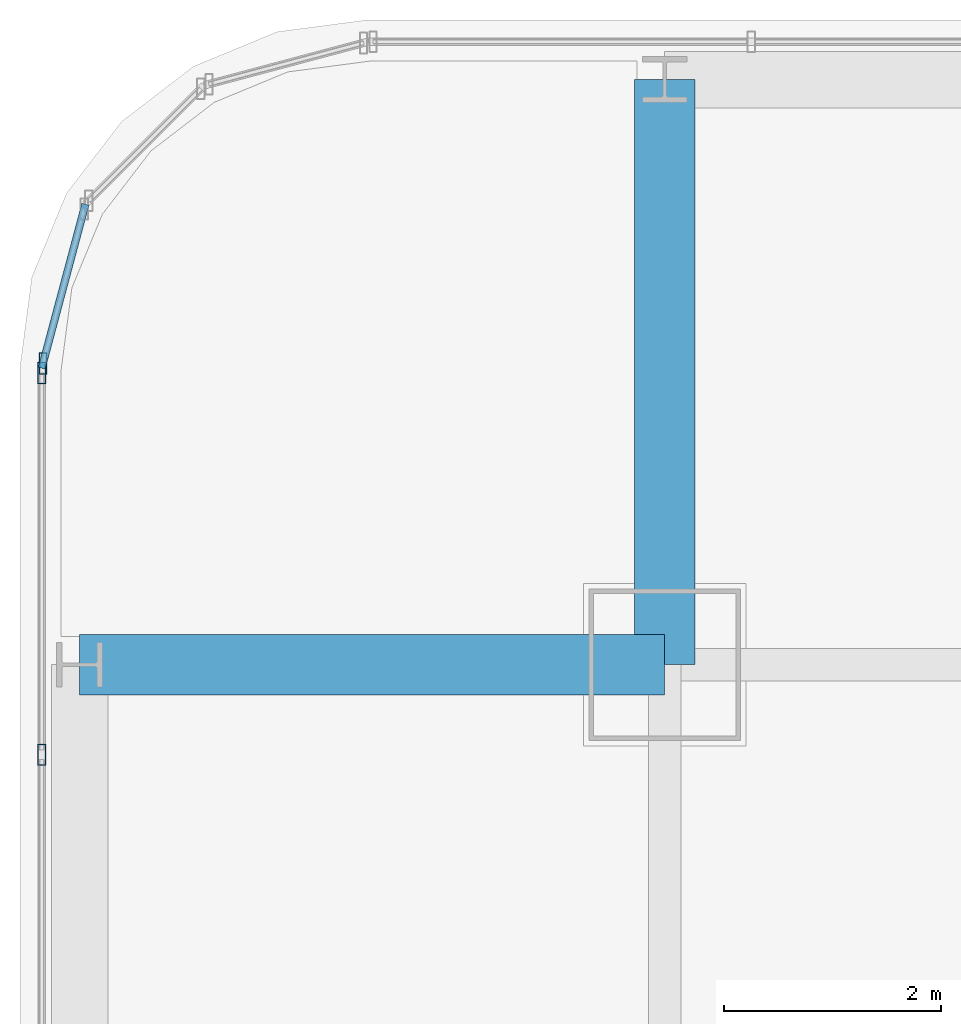
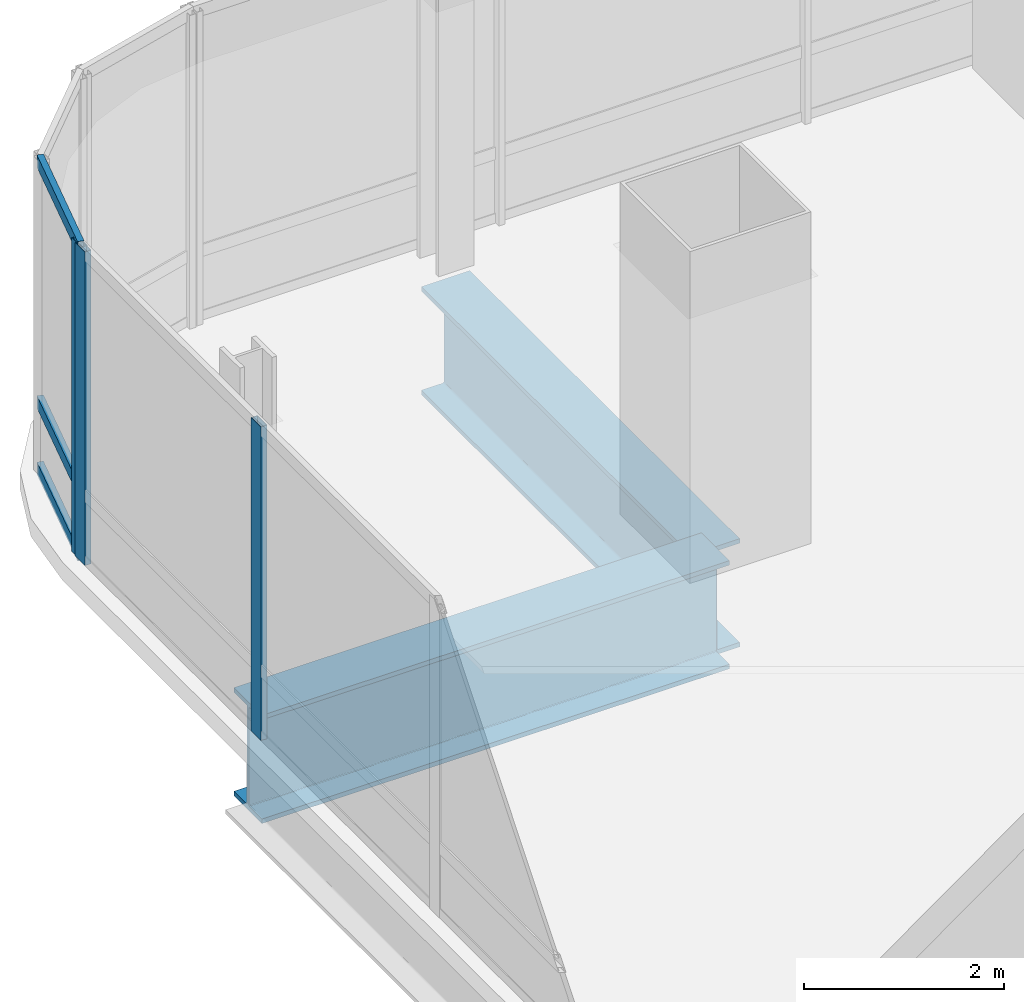
# One storey, part 19 of 38: 6 members, 2 beams, 2 elements without a shape of their own.
"""IFC4 building model written with IfcOpenShell, lengths in metres."""

from ifc_helpers import new_model, si_unit, direction, frame, origin, origin_2d, place, context, subcontext, project, spatial, hollow_rectangle, i_section, extrude, material, material_profile, profile_set, type_object, element, aggregate, save


model = new_model("IFC4")

# Units and contexts
model_context = context("Model", 3, precision=1e-05, world=origin(), true_north=direction((0.0, 1.0)))
body_context = subcontext(model_context, "Body", "Model", "MODEL_VIEW")
ifc_project = project(units=[si_unit("LENGTHUNIT", "METRE"), si_unit("AREAUNIT", "SQUARE_METRE"), si_unit("VOLUMEUNIT", "CUBIC_METRE"), si_unit("PLANEANGLEUNIT", "RADIAN"), si_unit("MASSUNIT", "GRAM", prefix="KILO")], contexts=[model_context])

# Site, building, storey
site_placement = place(None, origin())
site = spatial("IfcSite", under=ifc_project, at=site_placement, CompositionType="ELEMENT")
building_placement = place(site_placement, origin())
building = spatial("IfcBuilding", under=site, at=building_placement, Name="Punatoya Terracotta Tower", CompositionType="ELEMENT")
storey_placement = place(building_placement, frame((0.0, 0.0, 160.050048828125)))
storey = spatial("IfcBuildingStorey", under=building, at=storey_placement, Name="L37", CompositionType="ELEMENT", Elevation=160.050048828125)

# Beams
ifc_material_1 = material(Name="Steel S460", Category="steel")
ifc_material_profile_1 = material_profile(ifc_material_1, i_section(OverallWidth=0.56005859375, OverallDepth=1.320068359375, WebThickness=0.035888671875, FlangeThickness=0.054931640625, FilletRadius=0.01806640625, at=origin_2d()))
ifc_profile_set_1 = profile_set([ifc_material_profile_1], Name="Steel S460")
beam_type = type_object("IfcBeamType", Name="BM-TG-BLK", PredefinedType="BEAM", material=ifc_profile_set_1)
for number, where, z_axis, x_axis, name in (
    (1, (-24.5, 17.5, -0.880126953125), (1.0, 0.0, 0.0), (0.0, 1.0, 0.0), "BM-L37-CANT-W4"),
    (2, (-19.10009765625, 17.5, -0.880126953125), (0.0, 1.0, 0.0), (-1.0, 0.0, 0.0), "BM-L37-CANT-N1"),
):
    element("IfcBeam", number, at=place(storey_placement, frame(where, z_axis=z_axis, x_axis=x_axis)), inside=storey, type_object=beam_type, Name=name, PredefinedType="BEAM", context=body_context, shape_type="SweptSolid", body=[
        extrude(i_section(OverallWidth=0.56005859375, OverallDepth=1.320068359375, WebThickness=0.035888671875, FlangeThickness=0.054931640625, FilletRadius=0.01806640625, at=origin_2d()), origin(), (0.0, 0.0, 1.0), 5.39990234375),
    ])

# Curtain wall, member
ifc_material_2 = material(Name="Aluminium 6063-T6 + Double Low-E Glass", Category="aluminium")
curtain_wall_type = type_object("IfcCurtainWallType", Name="CW-M2", PredefinedType="NOTDEFINED", material=ifc_material_2)
curtain_wall_1_placement = place(storey_placement, origin())
curtain_wall_1 = element("IfcCurtainWall", 3, at=curtain_wall_1_placement, inside=storey, type_object=curtain_wall_type, Name="L37 Curtain Wall CW-L37-CRN12", PredefinedType="NOTDEFINED")
ifc_material_3 = material(Name="Aluminium 6063-T6", Category="aluminium")
ifc_material_profile_2 = material_profile(ifc_material_3, hollow_rectangle(XDim=0.072021484375, YDim=0.195068359375, WallThickness=0.00439453125, at=origin_2d()))
ifc_profile_set_2 = profile_set([ifc_material_profile_2], Name="Aluminium 6063-T6")
member_type_1 = type_object("IfcMemberType", Name="CW-MUL-M2", PredefinedType="MULLION", material=ifc_profile_set_2)
member_1_placement = place(storey_placement, frame((-24.83837890625, 20.280517578125, 0.0), z_axis=(0.0, 0.0, 1.0), x_axis=(1.0, 0.0, 0.0)))
member_1 = element("IfcMember", 4, at=member_1_placement, type_object=member_type_1, Name="CW-L37-CRN12 Mullion 01", PredefinedType="MULLION", context=body_context, shape_type="SweptSolid", body=[
    extrude(hollow_rectangle(XDim=0.072021484375, YDim=0.195068359375, WallThickness=0.00439453125, at=origin_2d()), origin(), (0.0, 0.0, 1.0), 3.829833984375),
])

# Curtain wall, members
curtain_wall_2_placement = place(storey_placement, origin())
curtain_wall_2 = element("IfcCurtainWall", 5, at=curtain_wall_2_placement, inside=storey, type_object=curtain_wall_type, Name="L37 Curtain Wall CW-L37-W13-1", PredefinedType="NOTDEFINED")
member_2_placement = place(storey_placement, frame((-24.85009765625, 20.19189453125, 0.0), z_axis=(0.0, 0.0, 1.0), x_axis=(1.0, 0.0, 0.0)))
member_2 = element("IfcMember", 6, at=member_2_placement, type_object=member_type_1, Name="CW-L37-W13-1 Mullion 00", PredefinedType="MULLION", context=body_context, shape_type="SweptSolid", body=[
    extrude(hollow_rectangle(XDim=0.072021484375, YDim=0.195068359375, WallThickness=0.00439453125, at=origin_2d()), origin(), (0.0, 0.0, 1.0), 3.829833984375),
])
member_3_placement = place(storey_placement, frame((-24.85009765625, 16.66943359375, 0.0), z_axis=(0.0, 0.0, 1.0), x_axis=(1.0, 0.0, 0.0)))
member_3 = element("IfcMember", 7, at=member_3_placement, type_object=member_type_1, Name="CW-L37-W13-1 Mullion 01", PredefinedType="MULLION", context=body_context, shape_type="SweptSolid", body=[
    extrude(hollow_rectangle(XDim=0.072021484375, YDim=0.195068359375, WallThickness=0.00439453125, at=origin_2d()), origin(), (0.0, 0.0, 1.0), 3.829833984375),
])
aggregate(curtain_wall_2, [member_2, member_3])

# Member
ifc_material_profile_3 = material_profile(ifc_material_3, hollow_rectangle(XDim=0.068115234375, YDim=0.14990234375, WallThickness=0.00390625, at=origin_2d()))
ifc_profile_set_3 = profile_set([ifc_material_profile_3], Name="Aluminium 6063-T6")
member_type_2 = type_object("IfcMemberType", Name="CW-TRN-TYP", PredefinedType="USERDEFINED", material=ifc_profile_set_3)
member_4_placement = place(storey_placement, frame((-24.446533203125, 21.7490234375, 0.0400390625), z_axis=(-0.257847112249, -0.966185730957, 0.0), x_axis=(0.966185730957, -0.257847112249, 0.0)))
member_4 = element("IfcMember", 8, at=member_4_placement, type_object=member_type_2, Name="CW-L37-CRN12 Transom 1", ObjectType="TRANSOM", PredefinedType="USERDEFINED", context=body_context, shape_type="SweptSolid", body=[
    extrude(hollow_rectangle(XDim=0.068115234375, YDim=0.14990234375, WallThickness=0.00390625, at=origin_2d()), origin(), (0.0, 0.0, 1.0), 1.565185546875),
])

member_5_placement = place(storey_placement, frame((-24.446533203125, 21.7490234375, 0.849853515625), z_axis=(-0.257847112249, -0.966185730957, 0.0), x_axis=(0.966185730957, -0.257847112249, 0.0)))
member_5 = element("IfcMember", 9, at=member_5_placement, type_object=member_type_2, Name="CW-L37-CRN12 Transom 2", ObjectType="TRANSOM", PredefinedType="USERDEFINED", context=body_context, shape_type="SweptSolid", body=[
    extrude(hollow_rectangle(XDim=0.068115234375, YDim=0.14990234375, WallThickness=0.00390625, at=origin_2d()), origin(), (0.0, 0.0, 1.0), 1.565185546875),
])

member_6_placement = place(storey_placement, frame((-24.446533203125, 21.7490234375, 3.7900390625), z_axis=(-0.257847112249, -0.966185730957, 0.0), x_axis=(0.966185730957, -0.257847112249, 0.0)))
member_6 = element("IfcMember", 10, at=member_6_placement, type_object=member_type_2, Name="CW-L37-CRN12 Transom 3", ObjectType="TRANSOM", PredefinedType="USERDEFINED", context=body_context, shape_type="SweptSolid", body=[
    extrude(hollow_rectangle(XDim=0.068115234375, YDim=0.14990234375, WallThickness=0.00390625, at=origin_2d()), origin(), (0.0, 0.0, 1.0), 1.565185546875),
])

aggregate(curtain_wall_1, [member_1, member_4, member_5, member_6])

save(model, "model.ifc")
